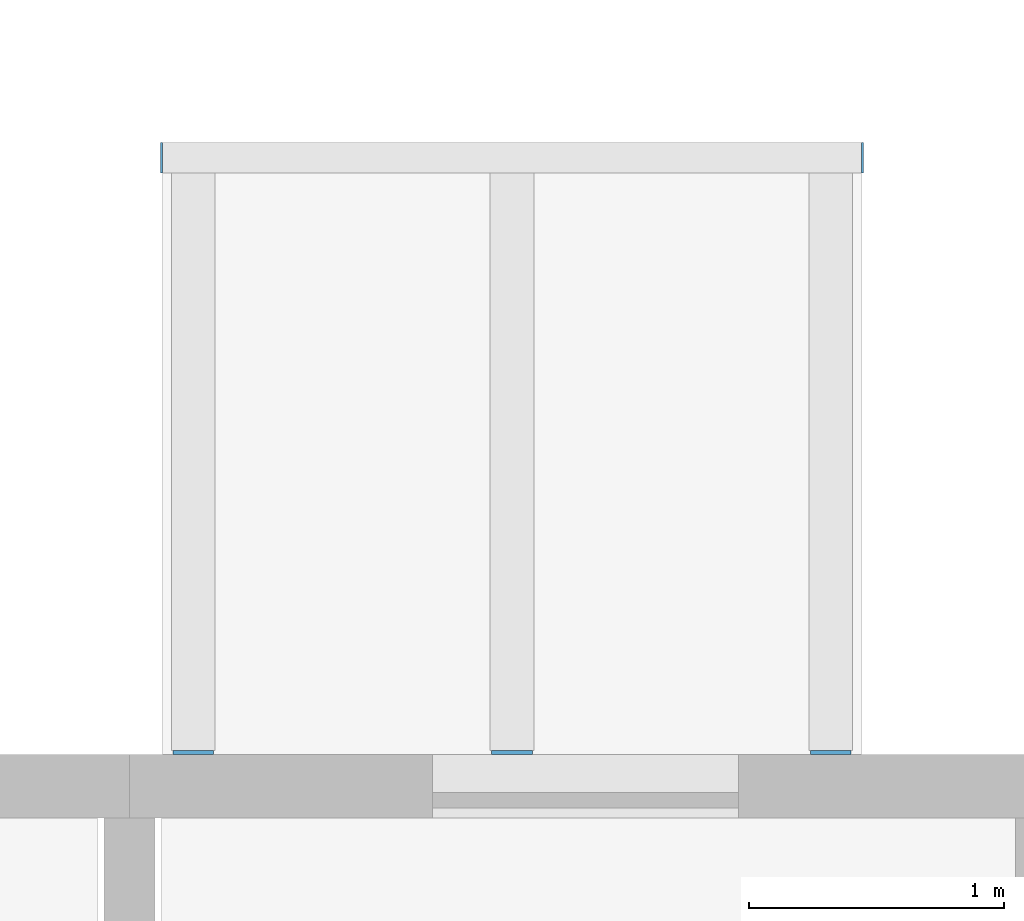
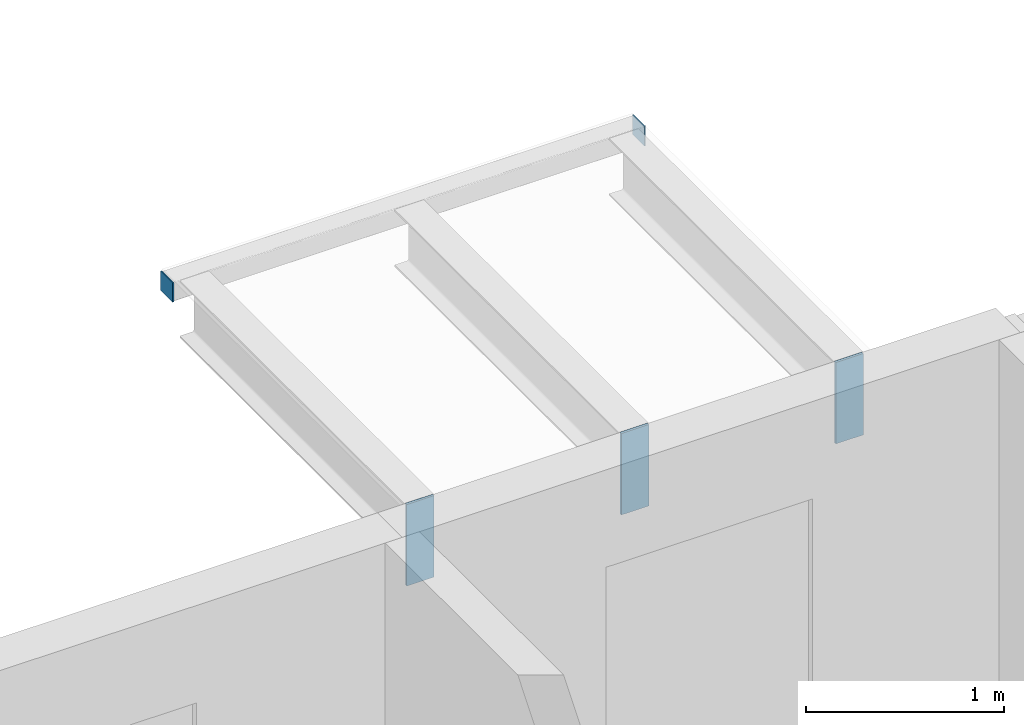
# One storey, part 64 of 93: 5 discrete accessories.
"""IFC4 building model written with IfcOpenShell, lengths in metres."""

from ifc_helpers import new_model, si_unit, direction, frame, origin, origin_2d, place, context, subcontext, project, spatial, rectangle, extrude, material, layer, layer_set, type_object, element, save


model = new_model("IFC4")

# Units and contexts
model_context = context("Model", 3, precision=1e-05, world=origin(), true_north=direction((0.0, 1.0)))
body_context = subcontext(model_context, "Body", "Model", "MODEL_VIEW")
ifc_project = project(units=[si_unit("LENGTHUNIT", "METRE"), si_unit("AREAUNIT", "SQUARE_METRE"), si_unit("VOLUMEUNIT", "CUBIC_METRE"), si_unit("PLANEANGLEUNIT", "RADIAN"), si_unit("MASSUNIT", "GRAM", prefix="KILO")], contexts=[model_context])

# Site, building, storey
site_placement = place(None, origin())
site = spatial("IfcSite", under=ifc_project, at=site_placement, CompositionType="ELEMENT")
building_placement = place(site_placement, origin())
building = spatial("IfcBuilding", under=site, at=building_placement, Name="Ridgestep Commons", CompositionType="ELEMENT")
storey_placement = place(building_placement, frame((0.0, 0.0, 18.0)))
storey = spatial("IfcBuildingStorey", under=building, at=storey_placement, Name="L06", CompositionType="ELEMENT", Elevation=18.0)

# Discrete accessories
ifc_material_1 = material(Name="Weathering steel S355J2W", Category="steel")
ifc_layer_1 = layer(ifc_material_1, 0.014892578125)
ifc_layer_set_1 = layer_set([ifc_layer_1], Name="Tray bracket plate 15")
discrete_accessory_type_1 = type_object("IfcDiscreteAccessoryType", Name="Tray bracket plate 15", PredefinedType="BRACKET", material=ifc_layer_set_1)
for number, where, z_axis, x_axis, name in (
    (1, (19.449951171875, 23.007568359375, 2.488525390625), (0.0, 0.0, 1.0), (1.0, 0.0, 0.0), "Tray bracket A1T3-07.1"),
    (2, (20.699951171875, 23.007568359375, 2.488525390625), (0.0, 0.0, 1.0), (1.0, 0.0, 0.0), "Tray bracket A1T3-07.2"),
    (3, (21.949951171875, 23.007568359375, 2.488525390625), (0.0, 0.0, 1.0), (1.0, 0.0, 0.0), "Tray bracket A1T3-07.3"),
):
    element("IfcDiscreteAccessory", number, at=place(storey_placement, frame(where, z_axis=z_axis, x_axis=x_axis)), inside=storey, type_object=discrete_accessory_type_1, Name=name, PredefinedType="BRACKET", context=body_context, shape_type="SweptSolid", body=[
        extrude(rectangle(XDim=0.159912109375, YDim=0.014892578125, at=origin_2d()), origin(), (0.0, 0.0, 1.0), 0.50146484375),
    ])
ifc_material_2 = material(Name="Weathering steel S355J2W", Category="steel")
ifc_layer_2 = layer(ifc_material_2, 0.008056640625)
ifc_layer_set_2 = layer_set([ifc_layer_2], Name="Tray edge member end plate 120 x 120 x 8")
discrete_accessory_type_2 = type_object("IfcDiscreteAccessoryType", Name="Tray edge member end plate 120 x 120 x 8", PredefinedType="BRACKET", material=ifc_layer_set_2)
for number, where, z_axis, x_axis, name in (
    (4, (19.325927734375, 25.340087890625, 2.869873046875), (0.0, 0.0, 1.0), (1.0, 0.0, 0.0), "Tray edge member end plate A1T3-07 west"),
    (5, (22.073974609375, 25.340087890625, 2.869873046875), (0.0, 0.0, 1.0), (1.0, 0.0, 0.0), "Tray edge member end plate A1T3-07 east"),
):
    element("IfcDiscreteAccessory", number, at=place(storey_placement, frame(where, z_axis=z_axis, x_axis=x_axis)), inside=storey, type_object=discrete_accessory_type_2, Name=name, PredefinedType="BRACKET", context=body_context, shape_type="SweptSolid", body=[
        extrude(rectangle(XDim=0.008056640625, YDim=0.1201171875, at=origin_2d()), origin(), (0.0, 0.0, 1.0), 0.1201171875),
    ])

save(model, "model.ifc")
